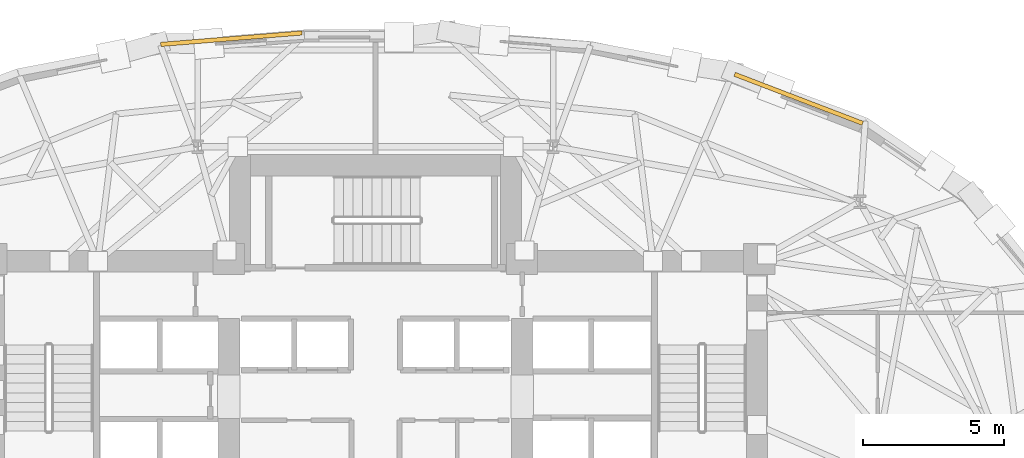
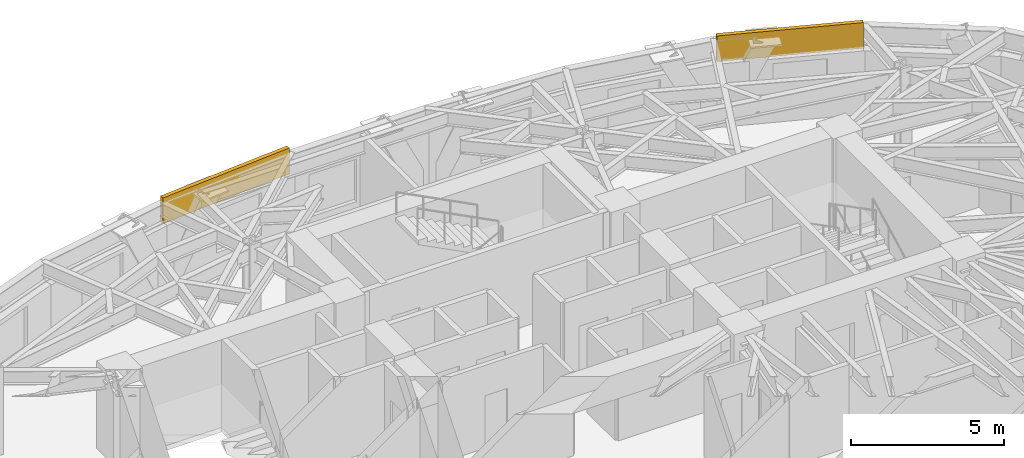
# One storey, part 14 of 14: 2 coverings.
"""IFC4 building model written with IfcOpenShell, lengths in metres."""

from ifc_helpers import new_model, si_unit, direction, frame, origin, origin_2d, place, context, subcontext, project, spatial, rectangle, extrude, material, layer, layer_set, type_object, element, save


model = new_model("IFC4")

# Units and contexts
model_context = context("Model", 3, precision=1e-05, world=origin(), true_north=direction((0.0, 1.0)))
body_context = subcontext(model_context, "Body", "Model", "MODEL_VIEW")
ifc_project = project(units=[si_unit("LENGTHUNIT", "METRE"), si_unit("AREAUNIT", "SQUARE_METRE"), si_unit("VOLUMEUNIT", "CUBIC_METRE"), si_unit("PLANEANGLEUNIT", "RADIAN"), si_unit("MASSUNIT", "GRAM", prefix="KILO")], contexts=[model_context])

# Site, building, storey
site_placement = place(None, origin())
site = spatial("IfcSite", under=ifc_project, at=site_placement, CompositionType="ELEMENT")
building_placement = place(site_placement, origin())
building = spatial("IfcBuilding", under=site, at=building_placement, Name="Keldmark Tower", CompositionType="ELEMENT")
storey_placement = place(building_placement, frame((0.0, 0.0, 124.60009765625)))
storey = spatial("IfcBuildingStorey", under=building, at=storey_placement, Name="L33", CompositionType="ELEMENT", Elevation=124.60009765625)

# Coverings
ifc_material = material(Name="Honed Kasota Buff Dolomitic Limestone", Category="masonry")
ifc_layer = layer(ifc_material, 0.074951171875)
ifc_layer_set = layer_set([ifc_layer], Name="Honed Kasota Buff Dolomitic Limestone")
covering_type = type_object("IfcCoveringType", Name="Kasota Buff Limestone Spandrel Cladding Band", PredefinedType="CLADDING", material=ifc_layer_set)
covering_1_placement = place(storey_placement, frame((14.99609375, 15.129638671875, 2.45166015625), z_axis=(0.0, 0.0, 1.0), x_axis=(-0.933849115686, 0.35766720444, 0.0)))
element("IfcCovering", 1, at=covering_1_placement, inside=storey, type_object=covering_type, Name="L33 Kasota Limestone Spandrel Band 05", PredefinedType="CLADDING", context=body_context, shape_type="SweptSolid", body=[
    extrude(rectangle(XDim=4.85888671875, YDim=0.14990234375, at=origin_2d()), origin(), (0.0, 0.0, 1.0), 1.028076171875),
])
covering_2_placement = place(storey_placement, frame((-5.107177734375, 17.259765625, 2.45166015625), z_axis=(0.0, 0.0, 1.0), x_axis=(-0.996733931468, -0.080755618139, 0.0)))
element("IfcCovering", 2, at=covering_2_placement, inside=storey, type_object=covering_type, Name="L33 Kasota Limestone Spandrel Band 09", PredefinedType="CLADDING", context=body_context, shape_type="SweptSolid", body=[
    extrude(rectangle(XDim=5.02197265625, YDim=0.14990234375, at=origin_2d()), origin(), (0.0, 0.0, 1.0), 1.028076171875),
])

save(model, "model.ifc")
